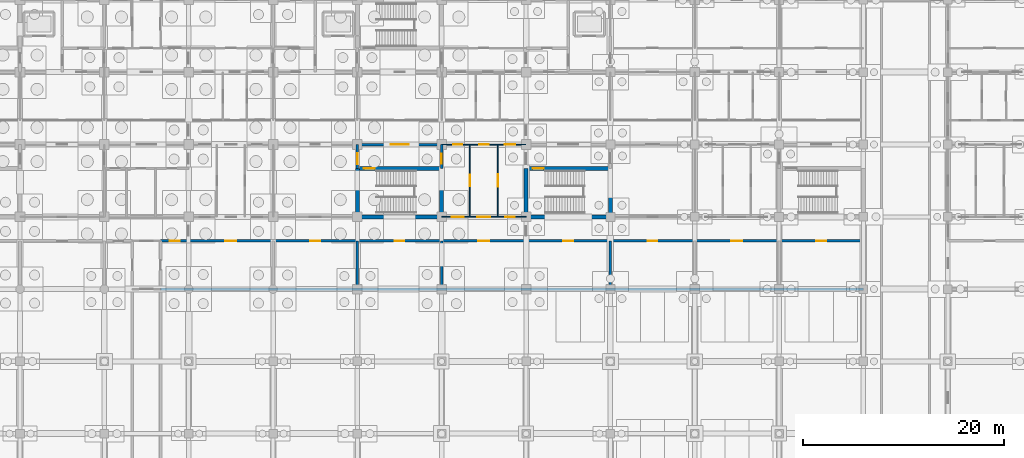
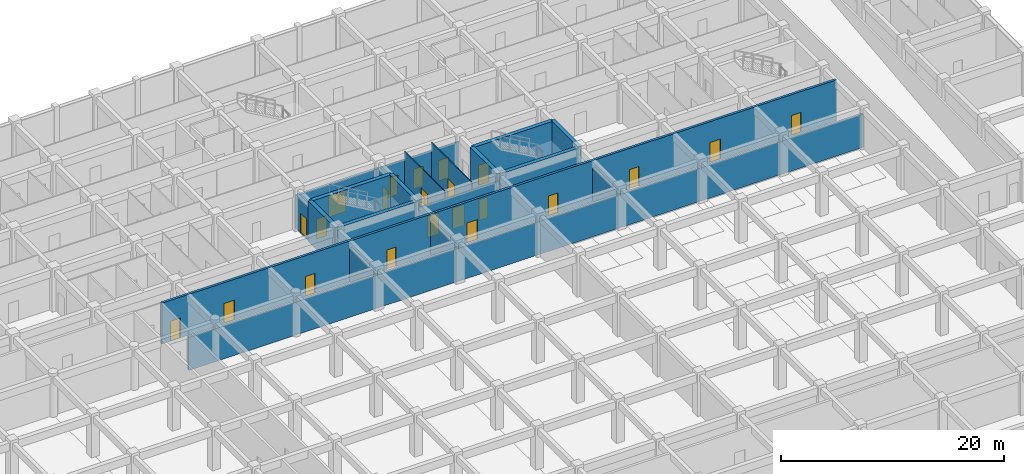
# One storey, part 38 of 85: 22 doors, 20 walls, 22 openings.
"""IFC4 building model written with IfcOpenShell, lengths in metres."""

from ifc_helpers import new_model, si_unit, direction, frame, frame_2d, origin, place, context, subcontext, project, spatial, rectangle, extrude, material, layer, layer_set, type_object, element, fill, save


model = new_model("IFC4")

# Units and contexts
model_context = context("Model", 3, precision=1e-05, world=origin(), true_north=direction((0.0, 1.0)))
body_context = subcontext(model_context, "Body", "Model", "MODEL_VIEW")
ifc_project = project(units=[si_unit("LENGTHUNIT", "METRE"), si_unit("AREAUNIT", "SQUARE_METRE"), si_unit("VOLUMEUNIT", "CUBIC_METRE"), si_unit("PLANEANGLEUNIT", "RADIAN"), si_unit("MASSUNIT", "GRAM", prefix="KILO")], contexts=[model_context])

# Site, building, storey
site_placement = place(None, origin())
site = spatial("IfcSite", under=ifc_project, at=site_placement, CompositionType="ELEMENT")
building_placement = place(site_placement, origin())
building = spatial("IfcBuilding", under=site, at=building_placement, Name="Chengyuan Square Courthouse", CompositionType="ELEMENT")
storey_placement = place(building_placement, frame((0.0, 0.0, -10.199951171875)))
storey = spatial("IfcBuildingStorey", under=building, at=storey_placement, Name="B02", CompositionType="ELEMENT", Elevation=-10.199951171875)

# Wall
ifc_material_1 = material(Name="Concrete C40", Category="concrete")
ifc_layer_1 = layer(ifc_material_1, 0.25)
ifc_layer_set_1 = layer_set([ifc_layer_1], Name="Concrete C40")
wall_type_1 = type_object("IfcWallType", Name="WL-FW1", PredefinedType="STANDARD", material=ifc_layer_set_1)
wall_1_placement = place(storey_placement, frame((81.199951171875, 79.199951171875, 0.0), z_axis=(0.0, 0.0, 1.0), x_axis=(1.0, 0.0, 0.0)))
element("IfcWall", 1, at=wall_1_placement, inside=storey, type_object=wall_type_1, Name="Interior Wall WL-B02-I021", PredefinedType="STANDARD", context=body_context, shape_type="SweptSolid", body=[
    extrude(rectangle(XDim=70.0, YDim=0.25, at=frame_2d((35.0, 0.0))), origin(), (0.0, 0.0, 1.0), 3.6298828125),
])

# Wall, openings, doors
wall_2_placement = place(storey_placement, frame((81.199951171875, 84.0, 0.0), z_axis=(0.0, 0.0, 1.0), x_axis=(1.0, 0.0, 0.0)))
wall_2 = element("IfcWall", 2, at=wall_2_placement, inside=storey, type_object=wall_type_1, Name="Interior Wall WL-B02-I025", PredefinedType="STANDARD", context=body_context, shape_type="SweptSolid", body=[
    extrude(rectangle(XDim=70.0, YDim=0.25, at=frame_2d((35.0, 0.0))), origin(), (0.0, 0.0, 1.0), 4.47998046875),
])
opening_1_placement = place(wall_2_placement, frame((0.89990234375, 0.0, 0.0)))
opening_1 = element("IfcOpeningElement", 3, at=opening_1_placement, cuts=wall_2, Name="Opening DR-302", PredefinedType="OPENING", context=body_context, shape_type="SweptSolid", body=[
    extrude(rectangle(XDim=1.0, YDim=2.199951171875, at=frame_2d((0.5, 1.10009765625))), frame((0.0, 0.136962890625, 0.0), z_axis=(0.0, -1.0, 0.0), x_axis=(1.0, 0.0, 0.0)), (0.0, 0.0, 1.0), 0.27392578125),
])
opening_2_placement = place(wall_2_placement, frame((6.449951171875, 0.0, 0.0)))
opening_2 = element("IfcOpeningElement", 4, at=opening_2_placement, cuts=wall_2, Name="Opening DR-304", PredefinedType="OPENING", context=body_context, shape_type="SweptSolid", body=[
    extrude(rectangle(XDim=1.10009765625, YDim=2.199951171875, at=frame_2d((0.550048828125, 1.10009765625))), frame((0.0, 0.136962890625, 0.0), z_axis=(0.0, -1.0, 0.0), x_axis=(1.0, 0.0, 0.0)), (0.0, 0.0, 1.0), 0.27392578125),
])
opening_3_placement = place(wall_2_placement, frame((14.89990234375, 0.0, 0.0)))
opening_3 = element("IfcOpeningElement", 5, at=opening_3_placement, cuts=wall_2, Name="Opening DR-305", PredefinedType="OPENING", context=body_context, shape_type="SweptSolid", body=[
    extrude(rectangle(XDim=1.0, YDim=2.199951171875, at=frame_2d((0.5, 1.10009765625))), frame((0.0, 0.136962890625, 0.0), z_axis=(0.0, -1.0, 0.0), x_axis=(1.0, 0.0, 0.0)), (0.0, 0.0, 1.0), 0.27392578125),
])
opening_4_placement = place(wall_2_placement, frame((23.324951171875, 0.0, 0.0)))
opening_4 = element("IfcOpeningElement", 6, at=opening_4_placement, cuts=wall_2, Name="Opening DR-306", PredefinedType="OPENING", context=body_context, shape_type="SweptSolid", body=[
    extrude(rectangle(XDim=0.949951171875, YDim=2.14990234375, at=frame_2d((0.47509765625, 1.074951171875))), frame((0.0, 0.136962890625, 0.0), z_axis=(0.0, -1.0, 0.0), x_axis=(1.0, 0.0, 0.0)), (0.0, 0.0, 1.0), 0.27392578125),
])
opening_5_placement = place(wall_2_placement, frame((31.64990234375, 0.0, 0.0)))
opening_5 = element("IfcOpeningElement", 7, at=opening_5_placement, cuts=wall_2, Name="Opening DR-307", PredefinedType="OPENING", context=body_context, shape_type="SweptSolid", body=[
    extrude(rectangle(XDim=1.10009765625, YDim=2.199951171875, at=frame_2d((0.550048828125, 1.10009765625))), frame((0.0, 0.136962890625, 0.0), z_axis=(0.0, -1.0, 0.0), x_axis=(1.0, 0.0, 0.0)), (0.0, 0.0, 1.0), 0.27392578125),
])
opening_6_placement = place(wall_2_placement, frame((40.10009765625, 0.0, 0.0)))
opening_6 = element("IfcOpeningElement", 8, at=opening_6_placement, cuts=wall_2, Name="Opening DR-308", PredefinedType="OPENING", context=body_context, shape_type="SweptSolid", body=[
    extrude(rectangle(XDim=1.0, YDim=2.199951171875, at=frame_2d((0.5, 1.10009765625))), frame((0.0, 0.136962890625, 0.0), z_axis=(0.0, -1.0, 0.0), x_axis=(1.0, 0.0, 0.0)), (0.0, 0.0, 1.0), 0.27392578125),
])
opening_7_placement = place(wall_2_placement, frame((48.52490234375, 0.0, 0.0)))
opening_7 = element("IfcOpeningElement", 9, at=opening_7_placement, cuts=wall_2, Name="Opening DR-309", PredefinedType="OPENING", context=body_context, shape_type="SweptSolid", body=[
    extrude(rectangle(XDim=0.949951171875, YDim=2.14990234375, at=frame_2d((0.47509765625, 1.074951171875))), frame((0.0, 0.136962890625, 0.0), z_axis=(0.0, -1.0, 0.0), x_axis=(1.0, 0.0, 0.0)), (0.0, 0.0, 1.0), 0.27392578125),
])
opening_8_placement = place(wall_2_placement, frame((56.85009765625, 0.0, 0.0)))
opening_8 = element("IfcOpeningElement", 10, at=opening_8_placement, cuts=wall_2, Name="Opening DR-310", PredefinedType="OPENING", context=body_context, shape_type="SweptSolid", body=[
    extrude(rectangle(XDim=1.10009765625, YDim=2.199951171875, at=frame_2d((0.550048828125, 1.10009765625))), frame((0.0, 0.136962890625, 0.0), z_axis=(0.0, -1.0, 0.0), x_axis=(1.0, 0.0, 0.0)), (0.0, 0.0, 1.0), 0.27392578125),
])
opening_9_placement = place(wall_2_placement, frame((65.300048828125, 0.0, 0.0)))
opening_9 = element("IfcOpeningElement", 11, at=opening_9_placement, cuts=wall_2, Name="Opening DR-311", PredefinedType="OPENING", context=body_context, shape_type="SweptSolid", body=[
    extrude(rectangle(XDim=1.0, YDim=2.199951171875, at=frame_2d((0.5, 1.10009765625))), frame((0.0, 0.136962890625, 0.0), z_axis=(0.0, -1.0, 0.0), x_axis=(1.0, 0.0, 0.0)), (0.0, 0.0, 1.0), 0.27392578125),
])
ifc_material_2 = material(Name="Steel Q235B Fire Door", Category="steel")
door_type_1 = type_object("IfcDoorType", Name="DT-10", OperationType="NOTDEFINED", PredefinedType="DOOR", material=ifc_material_2)
door_1_placement = place(opening_2_placement, origin())
door_1 = element("IfcDoor", 12, at=door_1_placement, inside=storey, type_object=door_type_1, Name="Interior Door DR-304", OperationType="SINGLE_SWING_LEFT", OverallHeight=2.199951171875, OverallWidth=1.10009765625, PredefinedType="DOOR", context=body_context, shape_type="SweptSolid", body=[
    extrude(rectangle(XDim=1.10009765625, YDim=2.199951171875, at=frame_2d((0.550048828125, 1.10009765625))), frame((0.0, 0.02490234375, 0.0), z_axis=(0.0, -1.0, 0.0), x_axis=(1.0, 0.0, 0.0)), (0.0, 0.0, 1.0), 0.050048828125),
])
fill(opening_2, door_1)
door_2_placement = place(opening_5_placement, origin())
door_2 = element("IfcDoor", 13, at=door_2_placement, inside=storey, type_object=door_type_1, Name="Interior Door DR-307", OperationType="SINGLE_SWING_RIGHT", OverallHeight=2.199951171875, OverallWidth=1.10009765625, PredefinedType="DOOR", context=body_context, shape_type="SweptSolid", body=[
    extrude(rectangle(XDim=1.10009765625, YDim=2.199951171875, at=frame_2d((0.550048828125, 1.10009765625))), frame((0.0, 0.02490234375, 0.0), z_axis=(0.0, -1.0, 0.0), x_axis=(1.0, 0.0, 0.0)), (0.0, 0.0, 1.0), 0.050048828125),
])
fill(opening_5, door_2)
door_3_placement = place(opening_8_placement, origin())
door_3 = element("IfcDoor", 14, at=door_3_placement, inside=storey, type_object=door_type_1, Name="Interior Door DR-310", OperationType="SINGLE_SWING_LEFT", OverallHeight=2.199951171875, OverallWidth=1.10009765625, PredefinedType="DOOR", context=body_context, shape_type="SweptSolid", body=[
    extrude(rectangle(XDim=1.10009765625, YDim=2.199951171875, at=frame_2d((0.550048828125, 1.10009765625))), frame((0.0, 0.02490234375, 0.0), z_axis=(0.0, -1.0, 0.0), x_axis=(1.0, 0.0, 0.0)), (0.0, 0.0, 1.0), 0.050048828125),
])
fill(opening_8, door_3)
door_type_2 = type_object("IfcDoorType", Name="DT-11", OperationType="NOTDEFINED", PredefinedType="DOOR", material=ifc_material_2)
door_4_placement = place(opening_1_placement, origin())
door_4 = element("IfcDoor", 15, at=door_4_placement, inside=storey, type_object=door_type_2, Name="Interior Door DR-302", OperationType="SINGLE_SWING_LEFT", OverallHeight=2.199951171875, OverallWidth=1.0, PredefinedType="DOOR", context=body_context, shape_type="SweptSolid", body=[
    extrude(rectangle(XDim=1.0, YDim=2.199951171875, at=frame_2d((0.5, 1.10009765625))), frame((0.0, 0.02490234375, 0.0), z_axis=(0.0, -1.0, 0.0), x_axis=(1.0, 0.0, 0.0)), (0.0, 0.0, 1.0), 0.050048828125),
])
fill(opening_1, door_4)
door_5_placement = place(opening_3_placement, origin())
door_5 = element("IfcDoor", 16, at=door_5_placement, inside=storey, type_object=door_type_2, Name="Interior Door DR-305", OperationType="SINGLE_SWING_RIGHT", OverallHeight=2.199951171875, OverallWidth=1.0, PredefinedType="DOOR", context=body_context, shape_type="SweptSolid", body=[
    extrude(rectangle(XDim=1.0, YDim=2.199951171875, at=frame_2d((0.5, 1.10009765625))), frame((0.0, 0.02490234375, 0.0), z_axis=(0.0, -1.0, 0.0), x_axis=(1.0, 0.0, 0.0)), (0.0, 0.0, 1.0), 0.050048828125),
])
fill(opening_3, door_5)
door_6_placement = place(opening_6_placement, origin())
door_6 = element("IfcDoor", 17, at=door_6_placement, inside=storey, type_object=door_type_2, Name="Interior Door DR-308", OperationType="SINGLE_SWING_LEFT", OverallHeight=2.199951171875, OverallWidth=1.0, PredefinedType="DOOR", context=body_context, shape_type="SweptSolid", body=[
    extrude(rectangle(XDim=1.0, YDim=2.199951171875, at=frame_2d((0.5, 1.10009765625))), frame((0.0, 0.02490234375, 0.0), z_axis=(0.0, -1.0, 0.0), x_axis=(1.0, 0.0, 0.0)), (0.0, 0.0, 1.0), 0.050048828125),
])
fill(opening_6, door_6)
door_7_placement = place(opening_9_placement, origin())
door_7 = element("IfcDoor", 18, at=door_7_placement, inside=storey, type_object=door_type_2, Name="Interior Door DR-311", OperationType="SINGLE_SWING_RIGHT", OverallHeight=2.199951171875, OverallWidth=1.0, PredefinedType="DOOR", context=body_context, shape_type="SweptSolid", body=[
    extrude(rectangle(XDim=1.0, YDim=2.199951171875, at=frame_2d((0.5, 1.10009765625))), frame((0.0, 0.02490234375, 0.0), z_axis=(0.0, -1.0, 0.0), x_axis=(1.0, 0.0, 0.0)), (0.0, 0.0, 1.0), 0.050048828125),
])
fill(opening_9, door_7)
door_type_3 = type_object("IfcDoorType", Name="DT-12", OperationType="NOTDEFINED", PredefinedType="DOOR", material=ifc_material_2)
door_8_placement = place(opening_4_placement, origin())
door_8 = element("IfcDoor", 19, at=door_8_placement, inside=storey, type_object=door_type_3, Name="Interior Door DR-306", OperationType="SINGLE_SWING_LEFT", OverallHeight=2.14990234375, OverallWidth=0.949951171875, PredefinedType="DOOR", context=body_context, shape_type="SweptSolid", body=[
    extrude(rectangle(XDim=0.949951171875, YDim=2.14990234375, at=frame_2d((0.47509765625, 1.074951171875))), frame((0.0, 0.02490234375, 0.0), z_axis=(0.0, -1.0, 0.0), x_axis=(1.0, 0.0, 0.0)), (0.0, 0.0, 1.0), 0.050048828125),
])
fill(opening_4, door_8)
door_9_placement = place(opening_7_placement, origin())
door_9 = element("IfcDoor", 20, at=door_9_placement, inside=storey, type_object=door_type_3, Name="Interior Door DR-309", OperationType="SINGLE_SWING_RIGHT", OverallHeight=2.14990234375, OverallWidth=0.949951171875, PredefinedType="DOOR", context=body_context, shape_type="SweptSolid", body=[
    extrude(rectangle(XDim=0.949951171875, YDim=2.14990234375, at=frame_2d((0.47509765625, 1.074951171875))), frame((0.0, 0.02490234375, 0.0), z_axis=(0.0, -1.0, 0.0), x_axis=(1.0, 0.0, 0.0)), (0.0, 0.0, 1.0), 0.050048828125),
])
fill(opening_7, door_9)

# Wall, opening, door
wall_3_placement = place(storey_placement, frame((100.800048828125, 93.60009765625, 0.0), z_axis=(0.0, 0.0, 1.0), x_axis=(1.0, 0.0, 0.0)))
wall_3 = element("IfcWall", 21, at=wall_3_placement, inside=storey, type_object=wall_type_1, Name="Interior Wall WL-B02-I056", PredefinedType="STANDARD", context=body_context, shape_type="SweptSolid", body=[
    extrude(rectangle(XDim=8.39990234375, YDim=0.25, at=frame_2d((4.199951171875, 0.0))), origin(), (0.0, 0.0, 1.0), 3.6298828125),
])
opening_10_placement = place(wall_3_placement, frame((3.300048828125, 0.0, 0.0)))
opening_10 = element("IfcOpeningElement", 22, at=opening_10_placement, cuts=wall_3, Name="Opening DR-030", PredefinedType="OPENING", context=body_context, shape_type="SweptSolid", body=[
    extrude(rectangle(XDim=1.800048828125, YDim=2.35009765625, at=frame_2d((0.89990234375, 1.175048828125))), frame((0.0, 0.136962890625, 0.0), z_axis=(0.0, -1.0, 0.0), x_axis=(1.0, 0.0, 0.0)), (0.0, 0.0, 1.0), 0.27392578125),
])
ifc_material_3 = material(Name="Steel Q235B Glazed Fire Door", Category="steel")
door_type_4 = type_object("IfcDoorType", Name="DT-18", OperationType="DOUBLE_DOOR_SINGLE_SWING", PredefinedType="DOOR", material=ifc_material_3)
door_10_placement = place(opening_10_placement, frame((1.800048828125, 0.0, 0.0), z_axis=(0.0, 0.0, 1.0), x_axis=(-1.0, 0.0, 0.0)))
door_10 = element("IfcDoor", 23, at=door_10_placement, inside=storey, type_object=door_type_4, Name="Interior Door DR-030", OperationType="DOUBLE_DOOR_SINGLE_SWING", OverallHeight=2.35009765625, OverallWidth=1.800048828125, PredefinedType="DOOR", context=body_context, shape_type="SweptSolid", body=[
    extrude(rectangle(XDim=1.800048828125, YDim=2.35009765625, at=frame_2d((0.89990234375, 1.175048828125))), frame((0.0, 0.02490234375, 0.0), z_axis=(0.0, -1.0, 0.0), x_axis=(1.0, 0.0, 0.0)), (0.0, 0.0, 1.0), 0.050048828125),
])
fill(opening_10, door_10)

# Wall
wall_4_placement = place(storey_placement, frame((100.800048828125, 79.199951171875, 0.0), z_axis=(0.0, 0.0, 1.0), x_axis=(0.0, 1.0, 0.0)))
element("IfcWall", 24, at=wall_4_placement, inside=storey, type_object=wall_type_1, Name="Interior Wall WL-B02-I213", PredefinedType="STANDARD", context=body_context, shape_type="SweptSolid", body=[
    extrude(rectangle(XDim=4.800048828125, YDim=0.25, at=frame_2d((2.39990234375, 0.0))), origin(), (0.0, 0.0, 1.0), 3.72998046875),
])

# Wall, opening, door
wall_5_placement = place(storey_placement, frame((100.800048828125, 91.199951171875, 0.0), z_axis=(0.0, 0.0, 1.0), x_axis=(0.0, 1.0, 0.0)))
wall_5 = element("IfcWall", 25, at=wall_5_placement, inside=storey, type_object=wall_type_1, Name="Interior Wall WL-B02-I215", PredefinedType="STANDARD", context=body_context, shape_type="SweptSolid", body=[
    extrude(rectangle(XDim=2.400146484375, YDim=0.25, at=frame_2d((1.2001953125, 0.0))), origin(), (0.0, 0.0, 1.0), 3.72998046875),
])
opening_11_placement = place(wall_5_placement, frame((0.452392578125, 0.0, 0.0)))
opening_11 = element("IfcOpeningElement", 26, at=opening_11_placement, cuts=wall_5, Name="Opening DR-031", PredefinedType="OPENING", context=body_context, shape_type="SweptSolid", body=[
    extrude(rectangle(XDim=1.10009765625, YDim=2.199951171875, at=frame_2d((0.550048828125, 1.10009765625))), frame((0.0, 0.136962890625, 0.0), z_axis=(0.0, -1.0, 0.0), x_axis=(1.0, 0.0, 0.0)), (0.0, 0.0, 1.0), 0.27392578125),
])
door_11_placement = place(opening_11_placement, origin())
door_11 = element("IfcDoor", 27, at=door_11_placement, inside=storey, type_object=door_type_1, Name="Interior Door DR-031", OperationType="SINGLE_SWING_LEFT", OverallHeight=2.199951171875, OverallWidth=1.10009765625, PredefinedType="DOOR", context=body_context, shape_type="SweptSolid", body=[
    extrude(rectangle(XDim=1.10009765625, YDim=2.199951171875, at=frame_2d((0.550048828125, 1.10009765625))), frame((0.0, 0.02490234375, 0.0), z_axis=(0.0, -1.0, 0.0), x_axis=(1.0, 0.0, 0.0)), (0.0, 0.0, 1.0), 0.050048828125),
])
fill(opening_11, door_11)

# Wall
wall_6_placement = place(storey_placement, frame((109.199951171875, 79.199951171875, 0.0), z_axis=(0.0, 0.0, 1.0), x_axis=(0.0, 1.0, 0.0)))
element("IfcWall", 28, at=wall_6_placement, inside=storey, type_object=wall_type_1, Name="Interior Wall WL-B02-I221", PredefinedType="STANDARD", context=body_context, shape_type="SweptSolid", body=[
    extrude(rectangle(XDim=4.800048828125, YDim=0.25, at=frame_2d((2.39990234375, 0.0))), origin(), (0.0, 0.0, 1.0), 3.72998046875),
])

# Wall, opening, door
wall_7_placement = place(storey_placement, frame((109.199951171875, 91.199951171875, 0.0), z_axis=(0.0, 0.0, 1.0), x_axis=(0.0, 1.0, 0.0)))
wall_7 = element("IfcWall", 29, at=wall_7_placement, inside=storey, type_object=wall_type_1, Name="Interior Wall WL-B02-I223", PredefinedType="STANDARD", context=body_context, shape_type="SweptSolid", body=[
    extrude(rectangle(XDim=2.400146484375, YDim=0.25, at=frame_2d((1.2001953125, 0.0))), origin(), (0.0, 0.0, 1.0), 3.72998046875),
])
opening_12_placement = place(wall_7_placement, frame((0.50244140625, 0.0, 0.0)))
opening_12 = element("IfcOpeningElement", 30, at=opening_12_placement, cuts=wall_7, Name="Opening DR-032", PredefinedType="OPENING", context=body_context, shape_type="SweptSolid", body=[
    extrude(rectangle(XDim=1.0, YDim=2.199951171875, at=frame_2d((0.5, 1.10009765625))), frame((0.0, 0.136962890625, 0.0), z_axis=(0.0, -1.0, 0.0), x_axis=(1.0, 0.0, 0.0)), (0.0, 0.0, 1.0), 0.27392578125),
])
door_12_placement = place(opening_12_placement, origin())
door_12 = element("IfcDoor", 31, at=door_12_placement, inside=storey, type_object=door_type_2, Name="Interior Door DR-032", OperationType="SINGLE_SWING_RIGHT", OverallHeight=2.199951171875, OverallWidth=1.0, PredefinedType="DOOR", context=body_context, shape_type="SweptSolid", body=[
    extrude(rectangle(XDim=1.0, YDim=2.199951171875, at=frame_2d((0.5, 1.10009765625))), frame((0.0, 0.02490234375, 0.0), z_axis=(0.0, -1.0, 0.0), x_axis=(1.0, 0.0, 0.0)), (0.0, 0.0, 1.0), 0.050048828125),
])
fill(opening_12, door_12)

# Wall
wall_8_placement = place(storey_placement, frame((126.0, 79.199951171875, 0.0), z_axis=(0.0, 0.0, 1.0), x_axis=(0.0, 1.0, 0.0)))
element("IfcWall", 32, at=wall_8_placement, inside=storey, type_object=wall_type_1, Name="Interior Wall WL-B02-I239", PredefinedType="STANDARD", context=body_context, shape_type="SweptSolid", body=[
    extrude(rectangle(XDim=4.800048828125, YDim=0.25, at=frame_2d((2.39990234375, 0.0))), origin(), (0.0, 0.0, 1.0), 3.72998046875),
])

# Wall, openings, doors
ifc_material_4 = material(Name="Gypsum Plasterboard Acoustic Stud Partition")
ifc_layer_2 = layer(ifc_material_4, 0.10009765625)
ifc_layer_set_2 = layer_set([ifc_layer_2], Name="Gypsum Plasterboard Acoustic Stud Partition")
wall_type_2 = type_object("IfcWallType", Name="WL-PT6", PredefinedType="STANDARD", material=ifc_layer_set_2)
wall_9_placement = place(storey_placement, frame((109.199951171875, 86.39990234375, 0.0), z_axis=(0.0, 0.0, 1.0), x_axis=(1.0, 0.0, 0.0)))
wall_9 = element("IfcWall", 33, at=wall_9_placement, inside=storey, type_object=wall_type_2, Name="Interior Wall WL-B02-I037", PredefinedType="STANDARD", context=body_context, shape_type="SweptSolid", body=[
    extrude(rectangle(XDim=8.400146484375, YDim=0.10009765625, at=frame_2d((4.2001953125, 0.0))), origin(), (0.0, 0.0, 1.0), 3.6298828125),
])
opening_13_placement = place(wall_9_placement, frame((0.99755859375, 0.0, 0.0)))
opening_13 = element("IfcOpeningElement", 34, at=opening_13_placement, cuts=wall_9, Name="Opening DR-248", PredefinedType="OPENING", context=body_context, shape_type="SweptSolid", body=[
    extrude(rectangle(XDim=1.199951171875, YDim=2.35009765625, at=frame_2d((0.60009765625, 1.175048828125))), frame((0.0, 0.06201171875, 0.0), z_axis=(0.0, -1.0, 0.0), x_axis=(1.0, 0.0, 0.0)), (0.0, 0.0, 1.0), 0.1240234375),
])
opening_14_placement = place(wall_9_placement, frame((3.56005859375, 0.0, 0.0)))
opening_14 = element("IfcOpeningElement", 35, at=opening_14_placement, cuts=wall_9, Name="Opening DR-250", PredefinedType="OPENING", context=body_context, shape_type="SweptSolid", body=[
    extrude(rectangle(XDim=1.280029296875, YDim=2.35009765625, at=frame_2d((0.64013671875, 1.175048828125))), frame((0.0, 0.06201171875, 0.0), z_axis=(0.0, -1.0, 0.0), x_axis=(1.0, 0.0, 0.0)), (0.0, 0.0, 1.0), 0.1240234375),
])
opening_15_placement = place(wall_9_placement, frame((6.33251953125, 0.0, 0.0)))
opening_15 = element("IfcOpeningElement", 36, at=opening_15_placement, cuts=wall_9, Name="Opening DR-251", PredefinedType="OPENING", context=body_context, shape_type="SweptSolid", body=[
    extrude(rectangle(XDim=0.93994140625, YDim=2.300048828125, at=frame_2d((0.469970703125, 1.14990234375))), frame((0.0, 0.06201171875, 0.0), z_axis=(0.0, -1.0, 0.0), x_axis=(1.0, 0.0, 0.0)), (0.0, 0.0, 1.0), 0.1240234375),
])
ifc_material_5 = material(Name="Acoustic Solid-Core Timber Door", Category="wood")
door_type_5 = type_object("IfcDoorType", Name="DT-36", OperationType="NOTDEFINED", PredefinedType="DOOR", material=ifc_material_5)
door_13_placement = place(opening_13_placement, origin())
door_13 = element("IfcDoor", 37, at=door_13_placement, inside=storey, type_object=door_type_5, Name="Interior Door DR-248", OperationType="SINGLE_SWING_RIGHT", OverallHeight=2.35009765625, OverallWidth=1.199951171875, PredefinedType="DOOR", context=body_context, shape_type="SweptSolid", body=[
    extrude(rectangle(XDim=1.199951171875, YDim=2.35009765625, at=frame_2d((0.60009765625, 1.175048828125))), frame((0.0, 0.02490234375, 0.0), z_axis=(0.0, -1.0, 0.0), x_axis=(1.0, 0.0, 0.0)), (0.0, 0.0, 1.0), 0.050048828125),
])
fill(opening_13, door_13)
door_type_6 = type_object("IfcDoorType", Name="DT-38", OperationType="NOTDEFINED", PredefinedType="DOOR", material=ifc_material_5)
door_14_placement = place(opening_14_placement, origin())
door_14 = element("IfcDoor", 38, at=door_14_placement, inside=storey, type_object=door_type_6, Name="Interior Door DR-250", OperationType="SINGLE_SWING_RIGHT", OverallHeight=2.35009765625, OverallWidth=1.280029296875, PredefinedType="DOOR", context=body_context, shape_type="SweptSolid", body=[
    extrude(rectangle(XDim=1.280029296875, YDim=2.35009765625, at=frame_2d((0.64013671875, 1.175048828125))), frame((0.0, 0.02490234375, 0.0), z_axis=(0.0, -1.0, 0.0), x_axis=(1.0, 0.0, 0.0)), (0.0, 0.0, 1.0), 0.050048828125),
])
fill(opening_14, door_14)
door_type_7 = type_object("IfcDoorType", Name="DT-39", OperationType="NOTDEFINED", PredefinedType="DOOR", material=ifc_material_5)
door_15_placement = place(opening_15_placement, origin())
door_15 = element("IfcDoor", 39, at=door_15_placement, inside=storey, type_object=door_type_7, Name="Interior Door DR-251", OperationType="SINGLE_SWING_LEFT", OverallHeight=2.300048828125, OverallWidth=0.93994140625, PredefinedType="DOOR", context=body_context, shape_type="SweptSolid", body=[
    extrude(rectangle(XDim=0.93994140625, YDim=2.300048828125, at=frame_2d((0.469970703125, 1.14990234375))), frame((0.0, 0.02490234375, 0.0), z_axis=(0.0, -1.0, 0.0), x_axis=(1.0, 0.0, 0.0)), (0.0, 0.0, 1.0), 0.050048828125),
])
fill(opening_15, door_15)

wall_10_placement = place(storey_placement, frame((109.199951171875, 93.60009765625, 0.0), z_axis=(0.0, 0.0, 1.0), x_axis=(1.0, 0.0, 0.0)))
wall_10 = element("IfcWall", 40, at=wall_10_placement, inside=storey, type_object=wall_type_2, Name="Interior Wall WL-B02-I057", PredefinedType="STANDARD", context=body_context, shape_type="SweptSolid", body=[
    extrude(rectangle(XDim=8.400146484375, YDim=0.10009765625, at=frame_2d((4.2001953125, 0.0))), origin(), (0.0, 0.0, 1.0), 3.6298828125),
])
opening_16_placement = place(wall_10_placement, frame((1.137451171875, 0.0, 0.0)))
opening_16 = element("IfcOpeningElement", 41, at=opening_16_placement, cuts=wall_10, Name="Opening DR-190", PredefinedType="OPENING", context=body_context, shape_type="SweptSolid", body=[
    extrude(rectangle(XDim=0.919921875, YDim=2.14990234375, at=frame_2d((0.4599609375, 1.074951171875))), frame((0.0, 0.06201171875, 0.0), z_axis=(0.0, -1.0, 0.0), x_axis=(1.0, 0.0, 0.0)), (0.0, 0.0, 1.0), 0.1240234375),
])
opening_17_placement = place(wall_10_placement, frame((3.719970703125, 0.0, 0.0)))
opening_17 = element("IfcOpeningElement", 42, at=opening_17_placement, cuts=wall_10, Name="Opening DR-191", PredefinedType="OPENING", context=body_context, shape_type="SweptSolid", body=[
    extrude(rectangle(XDim=0.9599609375, YDim=2.199951171875, at=frame_2d((0.47998046875, 1.10009765625))), frame((0.0, 0.06201171875, 0.0), z_axis=(0.0, -1.0, 0.0), x_axis=(1.0, 0.0, 0.0)), (0.0, 0.0, 1.0), 0.1240234375),
])
opening_18_placement = place(wall_10_placement, frame((6.302490234375, 0.0, 0.0)))
opening_18 = element("IfcOpeningElement", 43, at=opening_18_placement, cuts=wall_10, Name="Opening DR-192", PredefinedType="OPENING", context=body_context, shape_type="SweptSolid", body=[
    extrude(rectangle(XDim=1.0, YDim=2.25, at=frame_2d((0.5, 1.125))), frame((0.0, 0.06201171875, 0.0), z_axis=(0.0, -1.0, 0.0), x_axis=(1.0, 0.0, 0.0)), (0.0, 0.0, 1.0), 0.1240234375),
])
door_type_8 = type_object("IfcDoorType", Name="DT-29", OperationType="NOTDEFINED", PredefinedType="DOOR", material=ifc_material_5)
door_16_placement = place(opening_16_placement, origin())
door_16 = element("IfcDoor", 44, at=door_16_placement, inside=storey, type_object=door_type_8, Name="Interior Door DR-190", OperationType="SINGLE_SWING_LEFT", OverallHeight=2.14990234375, OverallWidth=0.919921875, PredefinedType="DOOR", context=body_context, shape_type="SweptSolid", body=[
    extrude(rectangle(XDim=0.919921875, YDim=2.14990234375, at=frame_2d((0.4599609375, 1.074951171875))), frame((0.0, 0.02490234375, 0.0), z_axis=(0.0, -1.0, 0.0), x_axis=(1.0, 0.0, 0.0)), (0.0, 0.0, 1.0), 0.050048828125),
])
fill(opening_16, door_16)
door_type_9 = type_object("IfcDoorType", Name="DT-30", OperationType="NOTDEFINED", PredefinedType="DOOR", material=ifc_material_5)
door_17_placement = place(opening_17_placement, origin())
door_17 = element("IfcDoor", 45, at=door_17_placement, inside=storey, type_object=door_type_9, Name="Interior Door DR-191", OperationType="SINGLE_SWING_RIGHT", OverallHeight=2.199951171875, OverallWidth=0.9599609375, PredefinedType="DOOR", context=body_context, shape_type="SweptSolid", body=[
    extrude(rectangle(XDim=0.9599609375, YDim=2.199951171875, at=frame_2d((0.47998046875, 1.10009765625))), frame((0.0, 0.02490234375, 0.0), z_axis=(0.0, -1.0, 0.0), x_axis=(1.0, 0.0, 0.0)), (0.0, 0.0, 1.0), 0.050048828125),
])
fill(opening_17, door_17)
door_type_10 = type_object("IfcDoorType", Name="DT-31", OperationType="NOTDEFINED", PredefinedType="DOOR", material=ifc_material_5)
door_18_placement = place(opening_18_placement, origin())
door_18 = element("IfcDoor", 46, at=door_18_placement, inside=storey, type_object=door_type_10, Name="Interior Door DR-192", OperationType="SINGLE_SWING_LEFT", OverallHeight=2.25, OverallWidth=1.0, PredefinedType="DOOR", context=body_context, shape_type="SweptSolid", body=[
    extrude(rectangle(XDim=1.0, YDim=2.25, at=frame_2d((0.5, 1.125))), frame((0.0, 0.02490234375, 0.0), z_axis=(0.0, -1.0, 0.0), x_axis=(1.0, 0.0, 0.0)), (0.0, 0.0, 1.0), 0.050048828125),
])
fill(opening_18, door_18)

# Wall, opening, door
wall_11_placement = place(storey_placement, frame((112.0, 86.39990234375, 0.0), z_axis=(0.0, 0.0, 1.0), x_axis=(0.0, 1.0, 0.0)))
wall_11 = element("IfcWall", 47, at=wall_11_placement, inside=storey, type_object=wall_type_2, Name="Interior Wall WL-B02-I228", PredefinedType="STANDARD", context=body_context, shape_type="SweptSolid", body=[
    extrude(rectangle(XDim=7.2001953125, YDim=0.10009765625, at=frame_2d((3.60009765625, 0.0))), origin(), (0.0, 0.0, 1.0), 4.47998046875),
])
opening_19_placement = place(wall_11_placement, frame((3.02001953125, 0.0, 0.0)))
opening_19 = element("IfcOpeningElement", 48, at=opening_19_placement, cuts=wall_11, Name="Opening DR-247", PredefinedType="OPENING", context=body_context, shape_type="SweptSolid", body=[
    extrude(rectangle(XDim=1.159912109375, YDim=2.300048828125, at=frame_2d((0.580078125, 1.14990234375))), frame((0.0, 0.06201171875, 0.0), z_axis=(0.0, -1.0, 0.0), x_axis=(1.0, 0.0, 0.0)), (0.0, 0.0, 1.0), 0.1240234375),
])
door_type_11 = type_object("IfcDoorType", Name="DT-35", OperationType="NOTDEFINED", PredefinedType="DOOR", material=ifc_material_5)
door_19_placement = place(opening_19_placement, origin())
door_19 = element("IfcDoor", 49, at=door_19_placement, inside=storey, type_object=door_type_11, Name="Interior Door DR-247", OperationType="SINGLE_SWING_LEFT", OverallHeight=2.300048828125, OverallWidth=1.159912109375, PredefinedType="DOOR", context=body_context, shape_type="SweptSolid", body=[
    extrude(rectangle(XDim=1.159912109375, YDim=2.300048828125, at=frame_2d((0.580078125, 1.14990234375))), frame((0.0, 0.02490234375, 0.0), z_axis=(0.0, -1.0, 0.0), x_axis=(1.0, 0.0, 0.0)), (0.0, 0.0, 1.0), 0.050048828125),
])
fill(opening_19, door_19)

wall_12_placement = place(storey_placement, frame((114.800048828125, 86.39990234375, 0.0), z_axis=(0.0, 0.0, 1.0), x_axis=(0.0, 1.0, 0.0)))
wall_12 = element("IfcWall", 50, at=wall_12_placement, inside=storey, type_object=wall_type_2, Name="Interior Wall WL-B02-I230", PredefinedType="STANDARD", context=body_context, shape_type="SweptSolid", body=[
    extrude(rectangle(XDim=7.2001953125, YDim=0.10009765625, at=frame_2d((3.60009765625, 0.0))), origin(), (0.0, 0.0, 1.0), 4.47998046875),
])
opening_20_placement = place(wall_12_placement, frame((2.97998046875, 0.0, 0.0)))
opening_20 = element("IfcOpeningElement", 51, at=opening_20_placement, cuts=wall_12, Name="Opening DR-249", PredefinedType="OPENING", context=body_context, shape_type="SweptSolid", body=[
    extrude(rectangle(XDim=1.239990234375, YDim=2.300048828125, at=frame_2d((0.6201171875, 1.14990234375))), frame((0.0, 0.06201171875, 0.0), z_axis=(0.0, -1.0, 0.0), x_axis=(1.0, 0.0, 0.0)), (0.0, 0.0, 1.0), 0.1240234375),
])
door_type_12 = type_object("IfcDoorType", Name="DT-37", OperationType="NOTDEFINED", PredefinedType="DOOR", material=ifc_material_5)
door_20_placement = place(opening_20_placement, origin())
door_20 = element("IfcDoor", 52, at=door_20_placement, inside=storey, type_object=door_type_12, Name="Interior Door DR-249", OperationType="SINGLE_SWING_LEFT", OverallHeight=2.300048828125, OverallWidth=1.239990234375, PredefinedType="DOOR", context=body_context, shape_type="SweptSolid", body=[
    extrude(rectangle(XDim=1.239990234375, YDim=2.300048828125, at=frame_2d((0.6201171875, 1.14990234375))), frame((0.0, 0.02490234375, 0.0), z_axis=(0.0, -1.0, 0.0), x_axis=(1.0, 0.0, 0.0)), (0.0, 0.0, 1.0), 0.050048828125),
])
fill(opening_20, door_20)

# Walls
ifc_material_6 = material(Name="Concrete C50", Category="concrete")
ifc_layer_3 = layer(ifc_material_6, 0.39990234375)
ifc_layer_set_3 = layer_set([ifc_layer_3], Name="Concrete C50")
wall_type_3 = type_object("IfcWallType", Name="WL-SW1", PredefinedType="SHEAR", material=ifc_layer_set_3)
for number, where, z_axis, x_axis, name in (
    (53, (100.800048828125, 86.39990234375, 0.0), (0.0, 0.0, 1.0), (1.0, 0.0, 0.0), "Interior Wall WL-B02-I036"),
    (54, (117.60009765625, 86.39990234375, 0.0), (0.0, 0.0, 1.0), (1.0, 0.0, 0.0), "Interior Wall WL-B02-I038"),
):
    element("IfcWall", number, at=place(storey_placement, frame(where, z_axis=z_axis, x_axis=x_axis)), inside=storey, type_object=wall_type_3, Name=name, PredefinedType="SHEAR", context=body_context, shape_type="SweptSolid", body=[
        extrude(rectangle(XDim=8.39990234375, YDim=0.39990234375, at=frame_2d((4.199951171875, 0.0))), origin(), (0.0, 0.0, 1.0), 4.47998046875),
    ])

# Wall, opening, door
wall_13_placement = place(storey_placement, frame((100.800048828125, 91.199951171875, 0.0), z_axis=(0.0, 0.0, 1.0), x_axis=(1.0, 0.0, 0.0)))
wall_13 = element("IfcWall", 55, at=wall_13_placement, inside=storey, type_object=wall_type_3, Name="Interior Wall WL-B02-I046", PredefinedType="SHEAR", context=body_context, shape_type="SweptSolid", body=[
    extrude(rectangle(XDim=8.39990234375, YDim=0.39990234375, at=frame_2d((4.199951171875, 0.0))), origin(), (0.0, 0.0, 1.0), 4.47998046875),
])
opening_21_placement = place(wall_13_placement, frame((0.64990234375, 0.0, 0.0)))
opening_21 = element("IfcOpeningElement", 56, at=opening_21_placement, cuts=wall_13, Name="Opening DR-014", PredefinedType="OPENING", context=body_context, shape_type="SweptSolid", body=[
    extrude(rectangle(XDim=1.10009765625, YDim=2.199951171875, at=frame_2d((0.550048828125, 1.10009765625))), frame((0.0, 0.2119140625, 0.0), z_axis=(0.0, -1.0, 0.0), x_axis=(1.0, 0.0, 0.0)), (0.0, 0.0, 1.0), 0.423828125),
])
door_21_placement = place(opening_21_placement, frame((1.10009765625, 0.0, 0.0), z_axis=(0.0, 0.0, 1.0), x_axis=(-1.0, 0.0, 0.0)))
door_21 = element("IfcDoor", 57, at=door_21_placement, inside=storey, type_object=door_type_1, Name="Smoke-Proof Stairwell Fire Door ST-4 DR-014", OperationType="SINGLE_SWING_RIGHT", OverallHeight=2.199951171875, OverallWidth=1.10009765625, PredefinedType="DOOR", context=body_context, shape_type="SweptSolid", body=[
    extrude(rectangle(XDim=1.10009765625, YDim=2.199951171875, at=frame_2d((0.550048828125, 1.10009765625))), frame((0.0, 0.02490234375, 0.0), z_axis=(0.0, -1.0, 0.0), x_axis=(1.0, 0.0, 0.0)), (0.0, 0.0, 1.0), 0.050048828125),
])
fill(opening_21, door_21)

wall_14_placement = place(storey_placement, frame((117.60009765625, 91.199951171875, 0.0), z_axis=(0.0, 0.0, 1.0), x_axis=(1.0, 0.0, 0.0)))
wall_14 = element("IfcWall", 58, at=wall_14_placement, inside=storey, type_object=wall_type_3, Name="Interior Wall WL-B02-I047", PredefinedType="SHEAR", context=body_context, shape_type="SweptSolid", body=[
    extrude(rectangle(XDim=8.39990234375, YDim=0.39990234375, at=frame_2d((4.199951171875, 0.0))), origin(), (0.0, 0.0, 1.0), 4.47998046875),
])
opening_22_placement = place(wall_14_placement, frame((0.64990234375, 0.0, 0.0)))
opening_22 = element("IfcOpeningElement", 59, at=opening_22_placement, cuts=wall_14, Name="Opening DR-016", PredefinedType="OPENING", context=body_context, shape_type="SweptSolid", body=[
    extrude(rectangle(XDim=1.10009765625, YDim=2.199951171875, at=frame_2d((0.550048828125, 1.10009765625))), frame((0.0, 0.2119140625, 0.0), z_axis=(0.0, -1.0, 0.0), x_axis=(1.0, 0.0, 0.0)), (0.0, 0.0, 1.0), 0.423828125),
])
door_22_placement = place(opening_22_placement, frame((1.10009765625, 0.0, 0.0), z_axis=(0.0, 0.0, 1.0), x_axis=(-1.0, 0.0, 0.0)))
door_22 = element("IfcDoor", 60, at=door_22_placement, inside=storey, type_object=door_type_1, Name="Smoke-Proof Stairwell Fire Door ST-6 DR-016", OperationType="SINGLE_SWING_RIGHT", OverallHeight=2.199951171875, OverallWidth=1.10009765625, PredefinedType="DOOR", context=body_context, shape_type="SweptSolid", body=[
    extrude(rectangle(XDim=1.10009765625, YDim=2.199951171875, at=frame_2d((0.550048828125, 1.10009765625))), frame((0.0, 0.02490234375, 0.0), z_axis=(0.0, -1.0, 0.0), x_axis=(1.0, 0.0, 0.0)), (0.0, 0.0, 1.0), 0.050048828125),
])
fill(opening_22, door_22)

# Walls
for number, where, z_axis, x_axis, name in (
    (61, (100.800048828125, 86.39990234375, 0.0), (0.0, 0.0, 1.0), (0.0, 1.0, 0.0), "Interior Wall WL-B02-I214"),
    (62, (109.199951171875, 86.39990234375, 0.0), (0.0, 0.0, 1.0), (0.0, 1.0, 0.0), "Interior Wall WL-B02-I222"),
    (63, (117.60009765625, 86.39990234375, 0.0), (0.0, 0.0, 1.0), (0.0, 1.0, 0.0), "Interior Wall WL-B02-I233"),
    (64, (126.0, 86.39990234375, 0.0), (0.0, 0.0, 1.0), (0.0, 1.0, 0.0), "Interior Wall WL-B02-I240"),
):
    element("IfcWall", number, at=place(storey_placement, frame(where, z_axis=z_axis, x_axis=x_axis)), inside=storey, type_object=wall_type_3, Name=name, PredefinedType="SHEAR", context=body_context, shape_type="SweptSolid", body=[
        extrude(rectangle(XDim=4.800048828125, YDim=0.39990234375, at=frame_2d((2.39990234375, 0.0))), origin(), (0.0, 0.0, 1.0), 4.47998046875),
    ])

save(model, "model.ifc")
